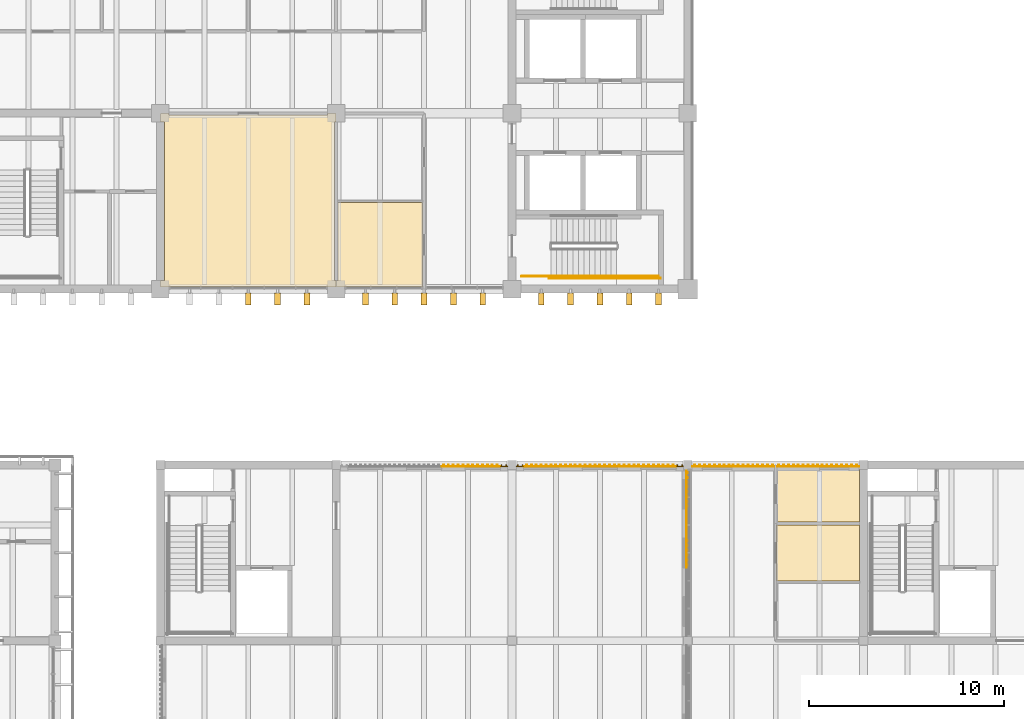
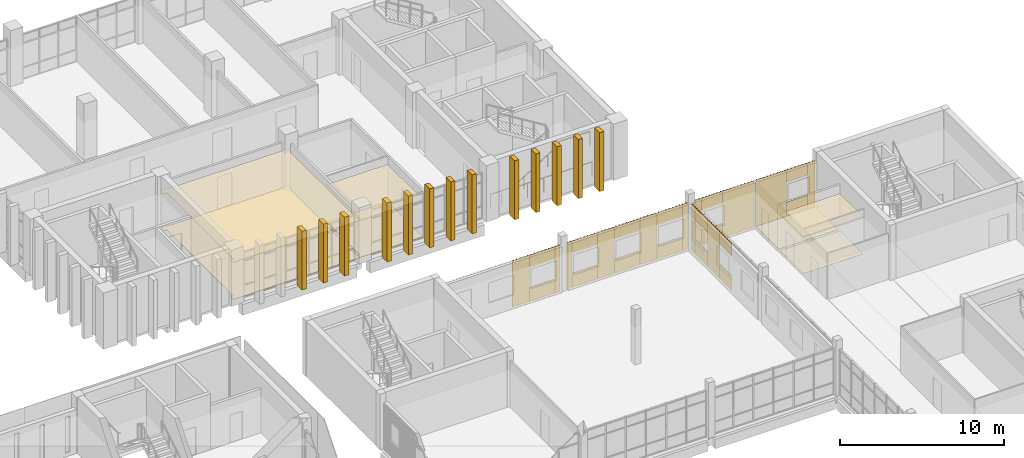
# One storey, part 84 of 88: 35 coverings, 13 shading devices, 4 railings.
"""IFC4 building model written with IfcOpenShell, lengths in metres."""

from ifc_helpers import new_model, si_unit, direction, frame, origin, origin_2d, place, context, subcontext, project, spatial, polyline, circle, outline, extrude, source, transform, mapped, material, layer, layer_set, type_object, element, save


model = new_model("IFC4")

# Units and contexts
model_context = context("Model", 3, precision=1e-05, world=origin(), true_north=direction((0.0, 1.0)))
body_context = subcontext(model_context, "Body", "Model", "MODEL_VIEW")
ifc_project = project(units=[si_unit("LENGTHUNIT", "METRE"), si_unit("AREAUNIT", "SQUARE_METRE"), si_unit("VOLUMEUNIT", "CUBIC_METRE"), si_unit("PLANEANGLEUNIT", "RADIAN"), si_unit("MASSUNIT", "GRAM", prefix="KILO")], contexts=[model_context])

# Site, building, storey
site_placement = place(None, origin())
site = spatial("IfcSite", under=ifc_project, at=site_placement, CompositionType="ELEMENT")
building_placement = place(site_placement, origin())
building = spatial("IfcBuilding", under=site, at=building_placement, Name="Merrow Basin Faculty of Sciences", CompositionType="ELEMENT")
storey_placement = place(building_placement, frame((0.0, 0.0, 9.0)))
storey = spatial("IfcBuildingStorey", under=building, at=storey_placement, Name="L02", CompositionType="ELEMENT", Elevation=9.0)

# Coverings
ifc_material_1 = material(Name="Ceramic floor tile")
ifc_layer_1 = layer(ifc_material_1, 0.02001953125)
ifc_layer_set_1 = layer_set([ifc_layer_1], Name="Ceramic floor tile")
covering_type_1 = type_object("IfcCoveringType", Name="Ceramic floor tile", PredefinedType="FLOORING", material=ifc_layer_set_1)
covering_1_placement = place(storey_placement, origin())
element("IfcCovering", 1, at=covering_1_placement, inside=storey, type_object=covering_type_1, Name="Floor finish L02-T-012", PredefinedType="FLOORING", context=body_context, shape_type="SweptSolid", body=[
    extrude(outline(polyline([(36.010009765625, 142.110107421875), (36.010009765625, 142.43994140625), (36.0849609375, 142.43994140625), (36.0849609375, 146.43994140625), (40.4150390625, 146.43994140625), (40.4150390625, 142.110107421875), (36.010009765625, 142.110107421875)])), origin(), (0.0, 0.0, 1.0), 0.02001953125),
])
covering_2_placement = place(storey_placement, origin())
element("IfcCovering", 2, at=covering_2_placement, inside=storey, type_object=covering_type_1, Name="Floor finish L02-C-032", PredefinedType="FLOORING", context=body_context, shape_type="SweptSolid", body=[
    extrude(outline(polyline([(58.56005859375, 127.06005859375), (58.56005859375, 129.9150390625), (62.7900390625, 129.9150390625), (62.7900390625, 127.06005859375), (58.56005859375, 127.06005859375)])), origin(), (0.0, 0.0, 1.0), 0.02001953125),
])
ifc_material_2 = material(Name="Laboratory sheet vinyl floor")
ifc_layer_2 = layer(ifc_material_2, 0.02001953125)
ifc_layer_set_2 = layer_set([ifc_layer_2], Name="Laboratory sheet vinyl floor")
covering_type_2 = type_object("IfcCoveringType", Name="Laboratory sheet vinyl floor", PredefinedType="FLOORING", material=ifc_layer_set_2)
covering_3_placement = place(storey_placement, origin())
element("IfcCovering", 3, at=covering_3_placement, inside=storey, type_object=covering_type_2, Name="Floor finish L02-T-018", PredefinedType="FLOORING", context=body_context, shape_type="SweptSolid", body=[
    extrude(outline(polyline([(27.43994140625, 150.989990234375), (27.43994140625, 150.9150390625), (35.56005859375, 150.9150390625), (35.56005859375, 150.989990234375), (35.989990234375, 150.989990234375), (35.989990234375, 150.56005859375), (35.9150390625, 150.56005859375), (35.9150390625, 142.43994140625), (35.989990234375, 142.43994140625), (35.989990234375, 142.110107421875), (27.010009765625, 142.110107421875), (27.010009765625, 142.43994140625), (27.2099609375, 142.43994140625), (27.2099609375, 150.56005859375), (27.010009765625, 150.56005859375), (27.010009765625, 150.989990234375), (27.43994140625, 150.989990234375)])), origin(), (0.0, 0.0, 1.0), 0.02001953125),
])
ifc_material_3 = material(Name="Sealed concrete floor", Category="concrete")
ifc_layer_3 = layer(ifc_material_3, 0.02001953125)
ifc_layer_set_3 = layer_set([ifc_layer_3], Name="Sealed concrete floor")
covering_type_3 = type_object("IfcCoveringType", Name="Sealed concrete floor", PredefinedType="FLOORING", material=ifc_layer_set_3)
covering_4_placement = place(storey_placement, origin())
element("IfcCovering", 4, at=covering_4_placement, inside=storey, type_object=covering_type_3, Name="Floor finish L02-C-033", PredefinedType="FLOORING", context=body_context, shape_type="SweptSolid", body=[
    extrude(outline(polyline([(62.989990234375, 132.889892578125), (62.989990234375, 132.784912109375), (62.7900390625, 132.784912109375), (62.7900390625, 130.0849609375), (58.5849609375, 130.0849609375), (58.5849609375, 132.889892578125), (62.989990234375, 132.889892578125)])), origin(), (0.0, 0.0, 1.0), 0.02001953125),
])

# Railings
ifc_material_4 = material(Name="Steel ASTM A36", Category="steel")
railing_type_1 = type_object("IfcRailingType", Name="Steel guard 1100", PredefinedType="GUARDRAIL", material=ifc_material_4)
railing_1_placement = place(storey_placement, frame((50.360107421875, 142.64990234375, 2.25)))
element("IfcRailing", 5, at=railing_1_placement, inside=storey, type_object=railing_type_1, Name="L02 ST-V5-N stair guard 3", PredefinedType="GUARDRAIL", context=body_context, shape_type="SweptSolid", body=[
    extrude(circle(Radius=0.02392578125, at=origin_2d()), frame((0.0, 0.0, 1.076171875), z_axis=(1.0, 0.0, 0.0), x_axis=(0.0, 1.0, 0.0)), (0.0, 0.0, 1.0), 2.139892578125),
    extrude(circle(Radius=0.02099609375, at=origin_2d()), origin(), (0.0, 0.0, 1.0), 1.052001953125),
    extrude(circle(Radius=0.02099609375, at=origin_2d()), frame((1.06982421875, 0.0, 0.0)), (0.0, 0.0, 1.0), 1.052001953125),
    extrude(circle(Radius=0.02099609375, at=origin_2d()), frame((2.139892578125, 0.0, 0.0)), (0.0, 0.0, 1.0), 1.052001953125),
])
railing_2_placement = place(storey_placement, frame((45.5, 142.64990234375, 0.0)))
element("IfcRailing", 6, at=railing_2_placement, inside=storey, type_object=railing_type_1, Name="L02 ST-V5-N stair guard 6", PredefinedType="GUARDRAIL", context=body_context, shape_type="SweptSolid", body=[
    extrude(circle(Radius=0.02392578125, at=origin_2d()), frame((0.0, 0.0, 1.076171875), z_axis=(1.0, 0.0, 0.0), x_axis=(0.0, 1.0, 0.0)), (0.0, 0.0, 1.0), 1.5),
    extrude(circle(Radius=0.02099609375, at=origin_2d()), origin(), (0.0, 0.0, 1.0), 1.052001953125),
    extrude(circle(Radius=0.02099609375, at=origin_2d()), frame((0.75, 0.0, 0.0)), (0.0, 0.0, 1.0), 1.052001953125),
    extrude(circle(Radius=0.02099609375, at=origin_2d()), frame((1.5, 0.0, 0.0)), (0.0, 0.0, 1.0), 1.052001953125),
])
railing_3_placement = place(storey_placement, frame((46.89990234375, 142.550048828125, 0.0)))
element("IfcRailing", 7, at=railing_3_placement, inside=storey, type_object=railing_type_1, Name="L02 ST-V5-N stair guard 7", PredefinedType="GUARDRAIL", context=body_context, shape_type="SweptSolid", body=[
    extrude(circle(Radius=0.02392578125, at=origin_2d()), frame((0.0, 0.0, 1.076171875), z_axis=(1.0, 0.0, 0.0), x_axis=(0.0, 1.0, 0.0)), (0.0, 0.0, 1.0), 5.7001953125),
    extrude(circle(Radius=0.02099609375, at=origin_2d()), origin(), (0.0, 0.0, 1.0), 1.052001953125),
    extrude(circle(Radius=0.02099609375, at=origin_2d()), frame((1.14013671875, 0.0, 0.0)), (0.0, 0.0, 1.0), 1.052001953125),
    extrude(circle(Radius=0.02099609375, at=origin_2d()), frame((2.280029296875, 0.0, 0.0)), (0.0, 0.0, 1.0), 1.052001953125),
    extrude(circle(Radius=0.02099609375, at=origin_2d()), frame((3.420166015625, 0.0, 0.0)), (0.0, 0.0, 1.0), 1.052001953125),
    extrude(circle(Radius=0.02099609375, at=origin_2d()), frame((4.56005859375, 0.0, 0.0)), (0.0, 0.0, 1.0), 1.052001953125),
    extrude(circle(Radius=0.02099609375, at=origin_2d()), frame((5.7001953125, 0.0, 0.0)), (0.0, 0.0, 1.0), 1.052001953125),
])
ifc_material_5 = material(Name="Steel ASTM A36", Category="steel")
railing_type_2 = type_object("IfcRailingType", Name="Steel handrail 900", PredefinedType="HANDRAIL", material=ifc_material_5)
railing_4_placement = place(storey_placement, frame((47.0, 142.64990234375, 0.173095703125)))
element("IfcRailing", 8, at=railing_4_placement, inside=storey, type_object=railing_type_2, Name="L02 ST-V5-N stair handrail 1", PredefinedType="HANDRAIL", context=body_context, shape_type="SweptSolid", body=[
    extrude(circle(Radius=0.02392578125, at=origin_2d()), frame((0.0, 0.0, 0.8759765625), z_axis=(0.850623216509, 0.0, 0.525775754039), x_axis=(0.0, 1.0, 0.0)), (0.0, 0.0, 1.0), 3.9501953125),
    extrude(circle(Radius=0.02099609375, at=origin_2d()), origin(), (0.0, 0.0, 1.0), 0.851806640625),
    extrude(circle(Radius=0.02099609375, at=origin_2d()), frame((0.840087890625, 0.0, 0.519287109375)), (0.0, 0.0, 1.0), 0.851806640625),
    extrude(circle(Radius=0.02099609375, at=origin_2d()), frame((1.68017578125, 0.0, 1.03857421875)), (0.0, 0.0, 1.0), 0.851806640625),
    extrude(circle(Radius=0.02099609375, at=origin_2d()), frame((2.52001953125, 0.0, 1.5576171875)), (0.0, 0.0, 1.0), 0.851806640625),
    extrude(circle(Radius=0.02099609375, at=origin_2d()), frame((3.360107421875, 0.0, 2.076904296875)), (0.0, 0.0, 1.0), 0.851806640625),
])

# Coverings
ifc_material_6 = material(Name="Mineral fibre ceiling tile")
ifc_layer_4 = layer(ifc_material_6, 0.050048828125)
ifc_layer_set_4 = layer_set([ifc_layer_4], Name="Suspended acoustic ceiling tile")
covering_type_4 = type_object("IfcCoveringType", Name="Suspended acoustic ceiling tile", PredefinedType="CEILING", material=ifc_layer_set_4)
covering_5_placement = place(storey_placement, frame((0.0, 0.0, 2.75)))
element("IfcCovering", 9, at=covering_5_placement, inside=storey, type_object=covering_type_4, Name="Ceiling L02-T-012", PredefinedType="CEILING", context=body_context, shape_type="SweptSolid", body=[
    extrude(outline(polyline([(36.010009765625, 142.110107421875), (36.010009765625, 142.43994140625), (36.0849609375, 142.43994140625), (36.0849609375, 146.43994140625), (40.4150390625, 146.43994140625), (40.4150390625, 142.110107421875), (36.010009765625, 142.110107421875)])), origin(), (0.0, 0.0, 1.0), 0.050048828125),
])
covering_6_placement = place(storey_placement, frame((0.0, 0.0, 2.75)))
element("IfcCovering", 10, at=covering_6_placement, inside=storey, type_object=covering_type_4, Name="Ceiling L02-T-018", PredefinedType="CEILING", context=body_context, shape_type="SweptSolid", body=[
    extrude(outline(polyline([(27.43994140625, 150.989990234375), (27.43994140625, 150.9150390625), (35.56005859375, 150.9150390625), (35.56005859375, 150.989990234375), (35.989990234375, 150.989990234375), (35.989990234375, 150.56005859375), (35.9150390625, 150.56005859375), (35.9150390625, 142.43994140625), (35.989990234375, 142.43994140625), (35.989990234375, 142.110107421875), (27.010009765625, 142.110107421875), (27.010009765625, 142.43994140625), (27.2099609375, 142.43994140625), (27.2099609375, 150.56005859375), (27.010009765625, 150.56005859375), (27.010009765625, 150.989990234375), (27.43994140625, 150.989990234375)])), origin(), (0.0, 0.0, 1.0), 0.050048828125),
])
covering_7_placement = place(storey_placement, frame((0.0, 0.0, 2.75)))
element("IfcCovering", 11, at=covering_7_placement, inside=storey, type_object=covering_type_4, Name="Ceiling L02-C-032", PredefinedType="CEILING", context=body_context, shape_type="SweptSolid", body=[
    extrude(outline(polyline([(58.550048828125, 127.050048828125), (58.550048828125, 129.925048828125), (62.800048828125, 129.925048828125), (62.800048828125, 127.050048828125), (58.550048828125, 127.050048828125)])), origin(), (0.0, 0.0, 1.0), 0.050048828125),
])
ifc_material_7 = material(Name="Larch timber", Category="wood")
ifc_layer_5 = layer(ifc_material_7, 0.0849609375)
ifc_layer_set_5 = layer_set([ifc_layer_5], Name="Larch batten cladding 85")
covering_type_5 = type_object("IfcCoveringType", Name="Larch batten cladding 85", PredefinedType="CLADDING", material=ifc_layer_set_5)
shared_shape_1 = source(origin(), body_context, "Body", "SweptSolid", [
    extrude(outline(polyline([(0.0, 0.0), (1.5, 0.0), (1.5, 0.02490234375), (1.39990234375, 0.02490234375), (1.39990234375, 0.0849609375), (1.35009765625, 0.0849609375), (1.35009765625, 0.02490234375), (1.14990234375, 0.02490234375), (1.14990234375, 0.0849609375), (1.10009765625, 0.0849609375), (1.10009765625, 0.02490234375), (0.89990234375, 0.02490234375), (0.89990234375, 0.0849609375), (0.85009765625, 0.0849609375), (0.85009765625, 0.02490234375), (0.64990234375, 0.02490234375), (0.64990234375, 0.0849609375), (0.60009765625, 0.0849609375), (0.60009765625, 0.02490234375), (0.39990234375, 0.02490234375), (0.39990234375, 0.0849609375), (0.35009765625, 0.0849609375), (0.35009765625, 0.02490234375), (0.14990234375, 0.02490234375), (0.14990234375, 0.0849609375), (0.10009765625, 0.0849609375), (0.10009765625, 0.02490234375), (0.0, 0.02490234375), (0.0, 0.0)])), origin(), (0.0, 0.0, 1.0), 0.89990234375),
])
for number, where, z_axis, x_axis, name in (
    (12, (54.75, 132.9150390625, 2.550048828125), (0.0, 0.0, 1.0), (1.0, 0.0, 0.0), "Larch batten cladding"),
    (13, (60.75, 132.9150390625, 2.550048828125), (0.0, 0.0, 1.0), (1.0, 0.0, 0.0), "Larch batten cladding"),
    (14, (53.9150390625, 132.25, 2.550048828125), (0.0, 0.0, 1.0), (0.0, -1.0, 0.0), "Larch batten cladding"),
    (15, (53.9150390625, 129.25, 2.550048828125), (0.0, 0.0, 1.0), (0.0, -1.0, 0.0), "Larch batten cladding"),
):
    element("IfcCovering", number, at=place(storey_placement, frame(where, z_axis=z_axis, x_axis=x_axis)), inside=storey, type_object=covering_type_5, Name=name, PredefinedType="CLADDING", context=body_context, shape_type="MappedRepresentation", body=[
        mapped(shared_shape_1, transform((0.0, 0.0, 0.0), scale=1.0)),
    ])
shared_shape_2 = source(origin(), body_context, "Body", "SweptSolid", [
    extrude(outline(polyline([(0.0, 0.0), (0.52490234375, 0.0), (0.52490234375, 0.02490234375), (0.412109375, 0.02490234375), (0.412109375, 0.0849609375), (0.362060546875, 0.0849609375), (0.362060546875, 0.02490234375), (0.162109375, 0.02490234375), (0.162109375, 0.0849609375), (0.112060546875, 0.0849609375), (0.112060546875, 0.02490234375), (0.0, 0.02490234375), (0.0, 0.0)])), origin(), (0.0, 0.0, 1.0), 3.449951171875),
])
for number, where, z_axis, x_axis, name in (
    (16, (54.22509765625, 132.9150390625, 0.0), (0.0, 0.0, 1.0), (1.0, 0.0, 0.0), "Larch batten cladding"),
    (17, (62.25, 132.9150390625, 0.0), (0.0, 0.0, 1.0), (1.0, 0.0, 0.0), "Larch batten cladding"),
):
    element("IfcCovering", number, at=place(storey_placement, frame(where, z_axis=z_axis, x_axis=x_axis)), inside=storey, type_object=covering_type_5, Name=name, PredefinedType="CLADDING", context=body_context, shape_type="MappedRepresentation", body=[
        mapped(shared_shape_2, transform((0.0, 0.0, 0.0), scale=1.0)),
    ])
shared_shape_3 = source(origin(), body_context, "Body", "SweptSolid", [
    extrude(outline(polyline([(0.0, 0.0), (1.5, 0.0), (1.5, 0.02490234375), (1.39990234375, 0.02490234375), (1.39990234375, 0.0849609375), (1.35009765625, 0.0849609375), (1.35009765625, 0.02490234375), (1.14990234375, 0.02490234375), (1.14990234375, 0.0849609375), (1.10009765625, 0.0849609375), (1.10009765625, 0.02490234375), (0.89990234375, 0.02490234375), (0.89990234375, 0.0849609375), (0.85009765625, 0.0849609375), (0.85009765625, 0.02490234375), (0.64990234375, 0.02490234375), (0.64990234375, 0.0849609375), (0.60009765625, 0.0849609375), (0.60009765625, 0.02490234375), (0.39990234375, 0.02490234375), (0.39990234375, 0.0849609375), (0.35009765625, 0.0849609375), (0.35009765625, 0.02490234375), (0.14990234375, 0.02490234375), (0.14990234375, 0.0849609375), (0.10009765625, 0.0849609375), (0.10009765625, 0.02490234375), (0.0, 0.02490234375), (0.0, 0.0)])), origin(), (0.0, 0.0, 1.0), 1.050048828125),
])
for number, where, z_axis, x_axis, name in (
    (18, (54.75, 132.9150390625, 0.0), (0.0, 0.0, 1.0), (1.0, 0.0, 0.0), "Larch batten cladding"),
    (19, (60.75, 132.9150390625, 0.0), (0.0, 0.0, 1.0), (1.0, 0.0, 0.0), "Larch batten cladding"),
    (20, (53.9150390625, 132.25, 0.0), (0.0, 0.0, 1.0), (0.0, -1.0, 0.0), "Larch batten cladding"),
    (21, (53.9150390625, 129.25, 0.0), (0.0, 0.0, 1.0), (0.0, -1.0, 0.0), "Larch batten cladding"),
):
    element("IfcCovering", number, at=place(storey_placement, frame(where, z_axis=z_axis, x_axis=x_axis)), inside=storey, type_object=covering_type_5, Name=name, PredefinedType="CLADDING", context=body_context, shape_type="MappedRepresentation", body=[
        mapped(shared_shape_3, transform((0.0, 0.0, 0.0), scale=1.0)),
    ])
shared_shape_4 = source(origin(), body_context, "Body", "SweptSolid", [
    extrude(outline(polyline([(0.0, 0.0), (2.175048828125, 0.0), (2.175048828125, 0.02490234375), (2.112060546875, 0.02490234375), (2.112060546875, 0.0849609375), (2.06201171875, 0.0849609375), (2.06201171875, 0.02490234375), (1.862060546875, 0.02490234375), (1.862060546875, 0.0849609375), (1.81201171875, 0.0849609375), (1.81201171875, 0.02490234375), (1.612060546875, 0.02490234375), (1.612060546875, 0.0849609375), (1.56201171875, 0.0849609375), (1.56201171875, 0.02490234375), (1.362060546875, 0.02490234375), (1.362060546875, 0.0849609375), (1.31201171875, 0.0849609375), (1.31201171875, 0.02490234375), (1.112060546875, 0.02490234375), (1.112060546875, 0.0849609375), (1.06201171875, 0.0849609375), (1.06201171875, 0.02490234375), (0.862060546875, 0.02490234375), (0.862060546875, 0.0849609375), (0.81201171875, 0.0849609375), (0.81201171875, 0.02490234375), (0.612060546875, 0.02490234375), (0.612060546875, 0.0849609375), (0.56201171875, 0.0849609375), (0.56201171875, 0.02490234375), (0.362060546875, 0.02490234375), (0.362060546875, 0.0849609375), (0.31201171875, 0.0849609375), (0.31201171875, 0.02490234375), (0.112060546875, 0.02490234375), (0.112060546875, 0.0849609375), (0.06201171875, 0.0849609375), (0.06201171875, 0.02490234375), (0.0, 0.02490234375), (0.0, 0.0)])), origin(), (0.0, 0.0, 1.0), 3.449951171875),
])
for number, where, z_axis, x_axis, name in (
    (22, (56.25, 132.9150390625, 0.0), (0.0, 0.0, 1.0), (1.0, 0.0, 0.0), "Larch batten cladding"),
    (23, (58.574951171875, 132.9150390625, 0.0), (0.0, 0.0, 1.0), (1.0, 0.0, 0.0), "Larch batten cladding"),
):
    element("IfcCovering", number, at=place(storey_placement, frame(where, z_axis=z_axis, x_axis=x_axis)), inside=storey, type_object=covering_type_5, Name=name, PredefinedType="CLADDING", context=body_context, shape_type="MappedRepresentation", body=[
        mapped(shared_shape_4, transform((0.0, 0.0, 0.0), scale=1.0)),
    ])
shared_shape_5 = source(origin(), body_context, "Body", "SweptSolid", [
    extrude(outline(polyline([(0.0, 0.0), (1.800048828125, 0.0), (1.800048828125, 0.02490234375), (1.675048828125, 0.02490234375), (1.675048828125, 0.0849609375), (1.625, 0.0849609375), (1.625, 0.02490234375), (1.425048828125, 0.02490234375), (1.425048828125, 0.0849609375), (1.375, 0.0849609375), (1.375, 0.02490234375), (1.175048828125, 0.02490234375), (1.175048828125, 0.0849609375), (1.125, 0.0849609375), (1.125, 0.02490234375), (0.925048828125, 0.02490234375), (0.925048828125, 0.0849609375), (0.875, 0.0849609375), (0.875, 0.02490234375), (0.675048828125, 0.02490234375), (0.675048828125, 0.0849609375), (0.625, 0.0849609375), (0.625, 0.02490234375), (0.425048828125, 0.02490234375), (0.425048828125, 0.0849609375), (0.375, 0.0849609375), (0.375, 0.02490234375), (0.175048828125, 0.02490234375), (0.175048828125, 0.0849609375), (0.125, 0.0849609375), (0.125, 0.02490234375), (0.0, 0.02490234375), (0.0, 0.0)])), origin(), (0.0, 0.0, 1.0), 0.89990234375),
])
for number, where, z_axis, x_axis, name in (
    (24, (42.60009765625, 132.9150390625, 2.550048828125), (0.0, 0.0, 1.0), (1.0, 0.0, 0.0), "Larch batten cladding"),
    (25, (45.60009765625, 132.9150390625, 2.550048828125), (0.0, 0.0, 1.0), (1.0, 0.0, 0.0), "Larch batten cladding"),
    (26, (48.60009765625, 132.9150390625, 2.550048828125), (0.0, 0.0, 1.0), (1.0, 0.0, 0.0), "Larch batten cladding"),
    (27, (51.60009765625, 132.9150390625, 2.550048828125), (0.0, 0.0, 1.0), (1.0, 0.0, 0.0), "Larch batten cladding"),
):
    element("IfcCovering", number, at=place(storey_placement, frame(where, z_axis=z_axis, x_axis=x_axis)), inside=storey, type_object=covering_type_5, Name=name, PredefinedType="CLADDING", context=body_context, shape_type="MappedRepresentation", body=[
        mapped(shared_shape_5, transform((0.0, 0.0, 0.0), scale=1.0)),
    ])
shared_shape_6 = source(origin(), body_context, "Body", "SweptSolid", [
    extrude(outline(polyline([(0.0, 0.0), (0.375, 0.0), (0.375, 0.02490234375), (0.3369140625, 0.02490234375), (0.3369140625, 0.0849609375), (0.287109375, 0.0849609375), (0.287109375, 0.02490234375), (0.0869140625, 0.02490234375), (0.0869140625, 0.0849609375), (0.037109375, 0.0849609375), (0.037109375, 0.02490234375), (0.0, 0.02490234375), (0.0, 0.0)])), origin(), (0.0, 0.0, 1.0), 3.449951171875),
])
for number, where, z_axis, x_axis, name in (
    (28, (44.39990234375, 132.9150390625, 0.0), (0.0, 0.0, 1.0), (1.0, 0.0, 0.0), "Larch batten cladding"),
    (29, (45.22509765625, 132.9150390625, 0.0), (0.0, 0.0, 1.0), (1.0, 0.0, 0.0), "Larch batten cladding"),
    (30, (53.39990234375, 132.9150390625, 0.0), (0.0, 0.0, 1.0), (1.0, 0.0, 0.0), "Larch batten cladding"),
):
    element("IfcCovering", number, at=place(storey_placement, frame(where, z_axis=z_axis, x_axis=x_axis)), inside=storey, type_object=covering_type_5, Name=name, PredefinedType="CLADDING", context=body_context, shape_type="MappedRepresentation", body=[
        mapped(shared_shape_6, transform((0.0, 0.0, 0.0), scale=1.0)),
    ])
shared_shape_7 = source(origin(), body_context, "Body", "SweptSolid", [
    extrude(outline(polyline([(0.0, 0.0), (1.800048828125, 0.0), (1.800048828125, 0.02490234375), (1.675048828125, 0.02490234375), (1.675048828125, 0.0849609375), (1.625, 0.0849609375), (1.625, 0.02490234375), (1.425048828125, 0.02490234375), (1.425048828125, 0.0849609375), (1.375, 0.0849609375), (1.375, 0.02490234375), (1.175048828125, 0.02490234375), (1.175048828125, 0.0849609375), (1.125, 0.0849609375), (1.125, 0.02490234375), (0.925048828125, 0.02490234375), (0.925048828125, 0.0849609375), (0.875, 0.0849609375), (0.875, 0.02490234375), (0.675048828125, 0.02490234375), (0.675048828125, 0.0849609375), (0.625, 0.0849609375), (0.625, 0.02490234375), (0.425048828125, 0.02490234375), (0.425048828125, 0.0849609375), (0.375, 0.0849609375), (0.375, 0.02490234375), (0.175048828125, 0.02490234375), (0.175048828125, 0.0849609375), (0.125, 0.0849609375), (0.125, 0.02490234375), (0.0, 0.02490234375), (0.0, 0.0)])), origin(), (0.0, 0.0, 1.0), 1.050048828125),
])
for number, where, z_axis, x_axis, name in (
    (31, (42.60009765625, 132.9150390625, 0.0), (0.0, 0.0, 1.0), (1.0, 0.0, 0.0), "Larch batten cladding"),
    (32, (45.60009765625, 132.9150390625, 0.0), (0.0, 0.0, 1.0), (1.0, 0.0, 0.0), "Larch batten cladding"),
    (33, (48.60009765625, 132.9150390625, 0.0), (0.0, 0.0, 1.0), (1.0, 0.0, 0.0), "Larch batten cladding"),
    (34, (51.60009765625, 132.9150390625, 0.0), (0.0, 0.0, 1.0), (1.0, 0.0, 0.0), "Larch batten cladding"),
):
    element("IfcCovering", number, at=place(storey_placement, frame(where, z_axis=z_axis, x_axis=x_axis)), inside=storey, type_object=covering_type_5, Name=name, PredefinedType="CLADDING", context=body_context, shape_type="MappedRepresentation", body=[
        mapped(shared_shape_7, transform((0.0, 0.0, 0.0), scale=1.0)),
    ])
shared_shape_8 = source(origin(), body_context, "Body", "SweptSolid", [
    extrude(outline(polyline([(0.0, 0.0), (1.199951171875, 0.0), (1.199951171875, 0.02490234375), (1.125, 0.02490234375), (1.125, 0.0849609375), (1.074951171875, 0.0849609375), (1.074951171875, 0.02490234375), (0.875, 0.02490234375), (0.875, 0.0849609375), (0.824951171875, 0.0849609375), (0.824951171875, 0.02490234375), (0.625, 0.02490234375), (0.625, 0.0849609375), (0.574951171875, 0.0849609375), (0.574951171875, 0.02490234375), (0.375, 0.02490234375), (0.375, 0.0849609375), (0.324951171875, 0.0849609375), (0.324951171875, 0.02490234375), (0.125, 0.02490234375), (0.125, 0.0849609375), (0.074951171875, 0.0849609375), (0.074951171875, 0.02490234375), (0.0, 0.02490234375), (0.0, 0.0)])), origin(), (0.0, 0.0, 1.0), 3.449951171875),
])
for number, where, z_axis, x_axis, name in (
    (35, (41.39990234375, 132.9150390625, 0.0), (0.0, 0.0, 1.0), (1.0, 0.0, 0.0), "Larch batten cladding"),
    (36, (47.39990234375, 132.9150390625, 0.0), (0.0, 0.0, 1.0), (1.0, 0.0, 0.0), "Larch batten cladding"),
    (37, (50.39990234375, 132.9150390625, 0.0), (0.0, 0.0, 1.0), (1.0, 0.0, 0.0), "Larch batten cladding"),
):
    element("IfcCovering", number, at=place(storey_placement, frame(where, z_axis=z_axis, x_axis=x_axis)), inside=storey, type_object=covering_type_5, Name=name, PredefinedType="CLADDING", context=body_context, shape_type="MappedRepresentation", body=[
        mapped(shared_shape_8, transform((0.0, 0.0, 0.0), scale=1.0)),
    ])
shared_shape_9 = source(origin(), body_context, "Body", "SweptSolid", [
    extrude(outline(polyline([(0.0, 0.0), (1.5, 0.0), (1.5, 0.02490234375), (1.39990234375, 0.02490234375), (1.39990234375, 0.0849609375), (1.35009765625, 0.0849609375), (1.35009765625, 0.02490234375), (1.14990234375, 0.02490234375), (1.14990234375, 0.0849609375), (1.10009765625, 0.0849609375), (1.10009765625, 0.02490234375), (0.89990234375, 0.02490234375), (0.89990234375, 0.0849609375), (0.85009765625, 0.0849609375), (0.85009765625, 0.02490234375), (0.64990234375, 0.02490234375), (0.64990234375, 0.0849609375), (0.60009765625, 0.0849609375), (0.60009765625, 0.02490234375), (0.39990234375, 0.02490234375), (0.39990234375, 0.0849609375), (0.35009765625, 0.0849609375), (0.35009765625, 0.02490234375), (0.14990234375, 0.02490234375), (0.14990234375, 0.0849609375), (0.10009765625, 0.0849609375), (0.10009765625, 0.02490234375), (0.0, 0.02490234375), (0.0, 0.0)])), origin(), (0.0, 0.0, 1.0), 3.449951171875),
])
covering_8_placement = place(storey_placement, frame((53.9150390625, 130.75, 0.0), z_axis=(0.0, 0.0, 1.0), x_axis=(0.0, -1.0, 0.0)))
element("IfcCovering", 38, at=covering_8_placement, inside=storey, type_object=covering_type_5, Name="Larch batten cladding", PredefinedType="CLADDING", context=body_context, shape_type="MappedRepresentation", body=[
    mapped(shared_shape_9, transform((0.0, 0.0, 0.0), scale=1.0)),
])
shared_shape_10 = source(origin(), body_context, "Body", "SweptSolid", [
    extrude(outline(polyline([(0.0, 0.0), (0.450927734375, 0.0), (0.450927734375, 0.02490234375), (0.375, 0.02490234375), (0.375, 0.0849609375), (0.324951171875, 0.0849609375), (0.324951171875, 0.02490234375), (0.125, 0.02490234375), (0.125, 0.0849609375), (0.074951171875, 0.0849609375), (0.074951171875, 0.02490234375), (0.0, 0.02490234375), (0.0, 0.0)])), origin(), (0.0, 0.0, 1.0), 3.449951171875),
])
covering_9_placement = place(storey_placement, frame((53.9150390625, 132.700927734375, 0.0), z_axis=(0.0, 0.0, 1.0), x_axis=(0.0, -1.0, 0.0)))
element("IfcCovering", 39, at=covering_9_placement, inside=storey, type_object=covering_type_5, Name="Larch batten cladding", PredefinedType="CLADDING", context=body_context, shape_type="MappedRepresentation", body=[
    mapped(shared_shape_10, transform((0.0, 0.0, 0.0), scale=1.0)),
])

# Shading devices
ifc_material_8 = material(Name="White precast concrete C50/60", Category="concrete")
shading_device_type = type_object("IfcShadingDeviceType", Name="White precast fin 300 x 600", PredefinedType="USERDEFINED", material=ifc_material_8)
shared_shape_11 = source(origin(), body_context, "Body", "SweptSolid", [
    extrude(outline(polyline([(0.0, 0.0), (0.300048828125, 0.0), (0.300048828125, 4.39990234375), (0.0, 4.39990234375), (0.0, 0.0)])), origin(), (0.0, 0.0, 1.0), 0.60009765625),
])
for number, where, z_axis, x_axis, name in (
    (40, (31.35009765625, 141.800048828125, -0.25), (0.0, -1.0, 0.0), (1.0, 0.0, 0.0), "Brise-soleil fin SL02"),
    (41, (32.85009765625, 141.800048828125, -0.25), (0.0, -1.0, 0.0), (1.0, 0.0, 0.0), "Brise-soleil fin SL02"),
    (42, (34.35009765625, 141.800048828125, -0.25), (0.0, -1.0, 0.0), (1.0, 0.0, 0.0), "Brise-soleil fin SL02"),
    (43, (37.35009765625, 141.800048828125, -0.25), (0.0, -1.0, 0.0), (1.0, 0.0, 0.0), "Brise-soleil fin SL02"),
    (44, (38.85009765625, 141.800048828125, -0.25), (0.0, -1.0, 0.0), (1.0, 0.0, 0.0), "Brise-soleil fin SL02"),
    (45, (40.35009765625, 141.800048828125, -0.25), (0.0, -1.0, 0.0), (1.0, 0.0, 0.0), "Brise-soleil fin SL02"),
    (46, (41.85009765625, 141.800048828125, -0.25), (0.0, -1.0, 0.0), (1.0, 0.0, 0.0), "Brise-soleil fin SL02"),
    (47, (43.35009765625, 141.800048828125, -0.25), (0.0, -1.0, 0.0), (1.0, 0.0, 0.0), "Brise-soleil fin SL02"),
    (48, (46.35009765625, 141.800048828125, -0.25), (0.0, -1.0, 0.0), (1.0, 0.0, 0.0), "Brise-soleil fin SL02"),
    (49, (47.85009765625, 141.800048828125, -0.25), (0.0, -1.0, 0.0), (1.0, 0.0, 0.0), "Brise-soleil fin SL02"),
    (50, (49.35009765625, 141.800048828125, -0.25), (0.0, -1.0, 0.0), (1.0, 0.0, 0.0), "Brise-soleil fin SL02"),
    (51, (50.85009765625, 141.800048828125, -0.25), (0.0, -1.0, 0.0), (1.0, 0.0, 0.0), "Brise-soleil fin SL02"),
    (52, (52.35009765625, 141.800048828125, -0.25), (0.0, -1.0, 0.0), (1.0, 0.0, 0.0), "Brise-soleil fin SL02"),
):
    element("IfcShadingDevice", number, at=place(storey_placement, frame(where, z_axis=z_axis, x_axis=x_axis)), inside=storey, type_object=shading_device_type, Name=name, ObjectType="FIN", PredefinedType="USERDEFINED", context=body_context, shape_type="MappedRepresentation", body=[
        mapped(shared_shape_11, transform((0.0, 0.0, 0.0), scale=1.0)),
    ])

save(model, "model.ifc")
